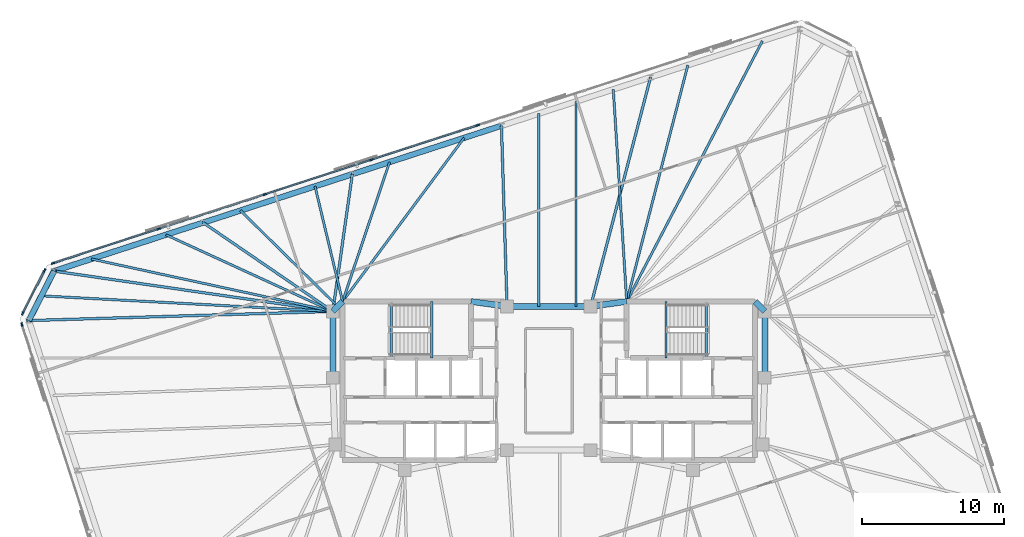
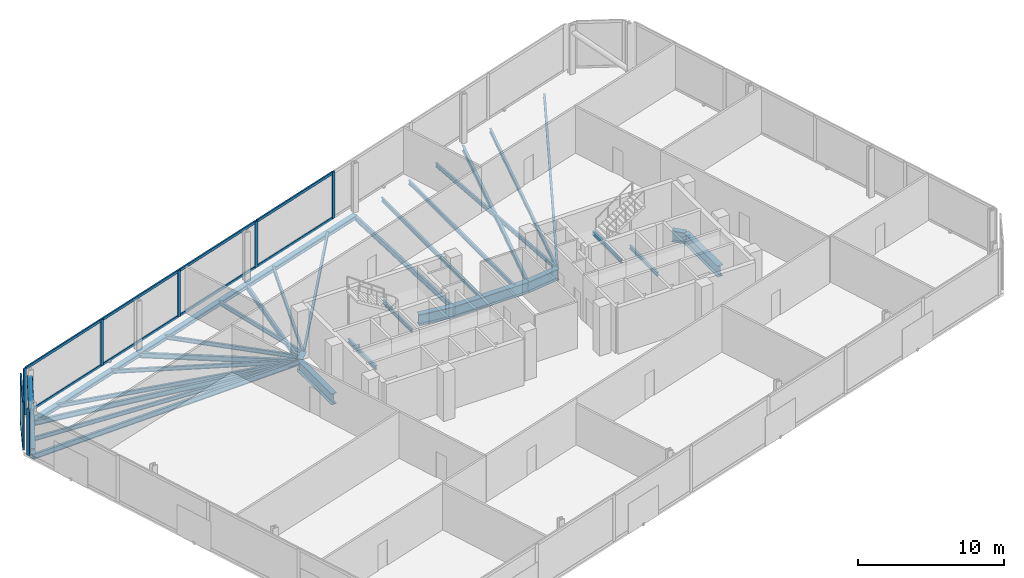
# One storey, part 7 of 14: 33 beams, 19 members, 3 elements without a shape of their own.
"""IFC4 building model written with IfcOpenShell, lengths in metres."""

from ifc_helpers import new_model, si_unit, direction, frame, origin, origin_2d, place, context, subcontext, project, spatial, rectangle, hollow_circle, i_section, extrude, material, material_profile, profile_set, type_object, element, aggregate, save


model = new_model("IFC4")

# Units and contexts
model_context = context("Model", 3, precision=1e-05, world=origin(), true_north=direction((0.0, 1.0)))
body_context = subcontext(model_context, "Body", "Model", "MODEL_VIEW")
ifc_project = project(units=[si_unit("LENGTHUNIT", "METRE"), si_unit("AREAUNIT", "SQUARE_METRE"), si_unit("VOLUMEUNIT", "CUBIC_METRE"), si_unit("PLANEANGLEUNIT", "RADIAN"), si_unit("MASSUNIT", "GRAM", prefix="KILO")], contexts=[model_context])

# Site, building, storey
site_placement = place(None, origin())
site = spatial("IfcSite", under=ifc_project, at=site_placement, CompositionType="ELEMENT")
building_placement = place(site_placement, origin())
building = spatial("IfcBuilding", under=site, at=building_placement, Name="Menara Jurai Vektor", CompositionType="ELEMENT")
storey_placement = place(building_placement, frame((0.0, 0.0, 206.800048828125)))
storey = spatial("IfcBuildingStorey", under=building, at=storey_placement, Name="L54", CompositionType="ELEMENT", Elevation=206.800048828125)

# Curtain wall, members
ifc_material_1 = material(Name="Anodised Pale Aluminium & Low-E Double Glazing", Category="aluminium")
curtain_wall_type = type_object("IfcCurtainWallType", Name="CW-SKY", PredefinedType="NOTDEFINED", material=ifc_material_1)
curtain_wall_1_placement = place(storey_placement, origin())
curtain_wall_1 = element("IfcCurtainWall", 1, at=curtain_wall_1_placement, inside=storey, type_object=curtain_wall_type, Name="Unitised Curtain Wall L54 F05", PredefinedType="NOTDEFINED")
ifc_material_2 = material(Name="Anodised Pale Aluminium Mullion", Category="aluminium")
ifc_material_profile_1 = material_profile(ifc_material_2, rectangle(XDim=0.110107421875, YDim=0.280029296875, at=origin_2d()), Name="ALU MUL 110x280")
ifc_profile_set_1 = profile_set([ifc_material_profile_1], Name="Anodised Pale Aluminium Mullion")
member_type_1 = type_object("IfcMemberType", Name="CW-SKY-MUL", PredefinedType="MULLION", material=ifc_profile_set_1)
member_1_placement = place(storey_placement, frame((-5.02783203125, 18.04052734375, 0.0), z_axis=(0.0, 0.0, 1.0), x_axis=(0.309017344167, -0.951056402641, 0.0)))
member_1 = element("IfcMember", 2, at=member_1_placement, type_object=member_type_1, Name="CW-06 mullion 4", PredefinedType="MULLION", context=body_context, shape_type="SweptSolid", body=[
    extrude(rectangle(XDim=0.110107421875, YDim=0.280029296875, at=origin_2d()), origin(), (0.0, 0.0, 1.0), 3.875),
])
member_2_placement = place(storey_placement, frame((-12.532958984375, 15.601806640625, 0.0), z_axis=(0.0, 0.0, 1.0), x_axis=(0.309017344167, -0.951056402641, 0.0)))
member_2 = element("IfcMember", 3, at=member_2_placement, type_object=member_type_1, Name="CW-06 mullion 5", PredefinedType="MULLION", context=body_context, shape_type="SweptSolid", body=[
    extrude(rectangle(XDim=0.110107421875, YDim=0.280029296875, at=origin_2d()), origin(), (0.0, 0.0, 1.0), 3.875),
])
member_3_placement = place(storey_placement, frame((-20.0380859375, 13.163330078125, 0.0), z_axis=(0.0, 0.0, 1.0), x_axis=(0.309017344167, -0.951056402641, 0.0)))
member_3 = element("IfcMember", 4, at=member_3_placement, type_object=member_type_1, Name="CW-06 mullion 6", PredefinedType="MULLION", context=body_context, shape_type="SweptSolid", body=[
    extrude(rectangle(XDim=0.110107421875, YDim=0.280029296875, at=origin_2d()), origin(), (0.0, 0.0, 1.0), 3.875),
])
member_4_placement = place(storey_placement, frame((-27.543212890625, 10.724609375, 0.0), z_axis=(0.0, 0.0, 1.0), x_axis=(0.309017344167, -0.951056402641, 0.0)))
member_4 = element("IfcMember", 5, at=member_4_placement, type_object=member_type_1, Name="CW-06 mullion 7", PredefinedType="MULLION", context=body_context, shape_type="SweptSolid", body=[
    extrude(rectangle(XDim=0.110107421875, YDim=0.280029296875, at=origin_2d()), origin(), (0.0, 0.0, 1.0), 3.875),
])
member_5_placement = place(storey_placement, frame((-34.99609375, 8.302978515625, 0.0), z_axis=(0.0, 0.0, 1.0), x_axis=(0.309017344167, -0.951056402641, 0.0)))
member_5 = element("IfcMember", 6, at=member_5_placement, type_object=member_type_1, Name="CW-06 mullion 8", PredefinedType="MULLION", context=body_context, shape_type="SweptSolid", body=[
    extrude(rectangle(XDim=0.110107421875, YDim=0.280029296875, at=origin_2d()), origin(), (0.0, 0.0, 1.0), 3.875),
])

curtain_wall_2_placement = place(storey_placement, origin())
curtain_wall_2 = element("IfcCurtainWall", 7, at=curtain_wall_2_placement, inside=storey, type_object=curtain_wall_type, Name="Unitised Curtain Wall L54 F06", PredefinedType="NOTDEFINED")
member_6_placement = place(storey_placement, frame((-35.607421875, 7.781005859375, 0.0), z_axis=(0.0, 0.0, 1.0), x_axis=(0.89100750243, -0.453988579828, 0.0)))
member_6 = element("IfcMember", 8, at=member_6_placement, type_object=member_type_1, Name="CW-06 mullion 1", PredefinedType="MULLION", context=body_context, shape_type="SweptSolid", body=[
    extrude(rectangle(XDim=0.110107421875, YDim=0.280029296875, at=origin_2d()), origin(), (0.0, 0.0, 1.0), 3.875),
])
member_7_placement = place(storey_placement, frame((-37.138427734375, 4.776123046875, 0.0), z_axis=(0.0, 0.0, 1.0), x_axis=(0.89100750243, -0.453988579828, 0.0)))
member_7 = element("IfcMember", 9, at=member_7_placement, type_object=member_type_1, Name="CW-06 mullion 2", PredefinedType="MULLION", context=body_context, shape_type="SweptSolid", body=[
    extrude(rectangle(XDim=0.110107421875, YDim=0.280029296875, at=origin_2d()), origin(), (0.0, 0.0, 1.0), 3.875),
])

# Curtain wall, member
curtain_wall_3_placement = place(storey_placement, origin())
curtain_wall_3 = element("IfcCurtainWall", 10, at=curtain_wall_3_placement, inside=storey, type_object=curtain_wall_type, Name="Unitised Curtain Wall L54 F07", PredefinedType="NOTDEFINED")
member_8_placement = place(storey_placement, frame((-37.20166015625, 3.974609375, 0.0), z_axis=(0.0, 0.0, 1.0), x_axis=(0.95105668295, 0.309016481464, 0.0)))
member_8 = element("IfcMember", 11, at=member_8_placement, type_object=member_type_1, Name="CW-06 mullion 1", PredefinedType="MULLION", context=body_context, shape_type="SweptSolid", body=[
    extrude(rectangle(XDim=0.110107421875, YDim=0.280029296875, at=origin_2d()), origin(), (0.0, 0.0, 1.0), 3.875),
])
aggregate(curtain_wall_3, [member_8])

# Member
ifc_material_3 = material(Name="Anodised Pale Aluminium Transom", Category="aluminium")
ifc_material_profile_2 = material_profile(ifc_material_3, rectangle(XDim=0.110107421875, YDim=0.219970703125, at=origin_2d()), Name="ALU TRN 110x220")
ifc_profile_set_2 = profile_set([ifc_material_profile_2], Name="Anodised Pale Aluminium Transom")
member_type_2 = type_object("IfcMemberType", Name="CW-SKY-TRN", PredefinedType="USERDEFINED", material=ifc_profile_set_2)
member_9_placement = place(storey_placement, frame((-5.080078125, 18.0234375, 0.054931640625), z_axis=(-0.951059197217, -0.309008743225, 0.0), x_axis=(0.309008743225, -0.951059197217, 0.0)))
member_9 = element("IfcMember", 12, at=member_9_placement, type_object=member_type_2, Name="CW-06 transom 4.1", ObjectType="TRANSOM", PredefinedType="USERDEFINED", context=body_context, shape_type="SweptSolid", body=[
    extrude(rectangle(XDim=0.110107421875, YDim=0.219970703125, at=origin_2d()), origin(), (0.0, 0.0, 1.0), 7.781494140625),
])

member_10_placement = place(storey_placement, frame((-5.080078125, 18.0234375, 3.820068359375), z_axis=(-0.951059197217, -0.309008743225, 0.0), x_axis=(0.309008743225, -0.951059197217, 0.0)))
member_10 = element("IfcMember", 13, at=member_10_placement, type_object=member_type_2, Name="CW-06 transom 4.2", ObjectType="TRANSOM", PredefinedType="USERDEFINED", context=body_context, shape_type="SweptSolid", body=[
    extrude(rectangle(XDim=0.110107421875, YDim=0.219970703125, at=origin_2d()), origin(), (0.0, 0.0, 1.0), 7.781494140625),
])

member_11_placement = place(storey_placement, frame((-12.585205078125, 15.5849609375, 0.054931640625), z_axis=(-0.95104997633, -0.309037121593, 0.0), x_axis=(0.309037121593, -0.95104997633, 0.0)))
member_11 = element("IfcMember", 14, at=member_11_placement, type_object=member_type_2, Name="CW-06 transom 5.1", ObjectType="TRANSOM", PredefinedType="USERDEFINED", context=body_context, shape_type="SweptSolid", body=[
    extrude(rectangle(XDim=0.110107421875, YDim=0.219970703125, at=origin_2d()), origin(), (0.0, 0.0, 1.0), 7.781494140625),
])

member_12_placement = place(storey_placement, frame((-12.585205078125, 15.5849609375, 3.820068359375), z_axis=(-0.95104997633, -0.309037121593, 0.0), x_axis=(0.309037121593, -0.95104997633, 0.0)))
member_12 = element("IfcMember", 15, at=member_12_placement, type_object=member_type_2, Name="CW-06 transom 5.2", ObjectType="TRANSOM", PredefinedType="USERDEFINED", context=body_context, shape_type="SweptSolid", body=[
    extrude(rectangle(XDim=0.110107421875, YDim=0.219970703125, at=origin_2d()), origin(), (0.0, 0.0, 1.0), 7.781494140625),
])

member_13_placement = place(storey_placement, frame((-20.09033203125, 13.146240234375, 0.054931640625), z_axis=(-0.951059197217, -0.309008743225, 0.0), x_axis=(0.309008743225, -0.951059197217, 0.0)))
member_13 = element("IfcMember", 16, at=member_13_placement, type_object=member_type_2, Name="CW-06 transom 6.1", ObjectType="TRANSOM", PredefinedType="USERDEFINED", context=body_context, shape_type="SweptSolid", body=[
    extrude(rectangle(XDim=0.110107421875, YDim=0.219970703125, at=origin_2d()), origin(), (0.0, 0.0, 1.0), 7.781494140625),
])

member_14_placement = place(storey_placement, frame((-20.09033203125, 13.146240234375, 3.820068359375), z_axis=(-0.951059197217, -0.309008743225, 0.0), x_axis=(0.309008743225, -0.951059197217, 0.0)))
member_14 = element("IfcMember", 17, at=member_14_placement, type_object=member_type_2, Name="CW-06 transom 6.2", ObjectType="TRANSOM", PredefinedType="USERDEFINED", context=body_context, shape_type="SweptSolid", body=[
    extrude(rectangle(XDim=0.110107421875, YDim=0.219970703125, at=origin_2d()), origin(), (0.0, 0.0, 1.0), 7.781494140625),
])

member_15_placement = place(storey_placement, frame((-27.595703125, 10.707763671875, 0.054931640625), z_axis=(-0.951051250836, -0.309033199321, 0.0), x_axis=(0.309033199321, -0.951051250836, 0.0)))
member_15 = element("IfcMember", 18, at=member_15_placement, type_object=member_type_2, Name="CW-06 transom 7.1", ObjectType="TRANSOM", PredefinedType="USERDEFINED", context=body_context, shape_type="SweptSolid", body=[
    extrude(rectangle(XDim=0.110107421875, YDim=0.219970703125, at=origin_2d()), origin(), (0.0, 0.0, 1.0), 7.726318359375),
])

member_16_placement = place(storey_placement, frame((-27.595703125, 10.707763671875, 3.820068359375), z_axis=(-0.951051250836, -0.309033199321, 0.0), x_axis=(0.309033199321, -0.951051250836, 0.0)))
member_16 = element("IfcMember", 19, at=member_16_placement, type_object=member_type_2, Name="CW-06 transom 7.2", ObjectType="TRANSOM", PredefinedType="USERDEFINED", context=body_context, shape_type="SweptSolid", body=[
    extrude(rectangle(XDim=0.110107421875, YDim=0.219970703125, at=origin_2d()), origin(), (0.0, 0.0, 1.0), 7.726318359375),
])

aggregate(curtain_wall_1, [member_1, member_2, member_3, member_4, member_5, member_9, member_10, member_11, member_12, member_13, member_14, member_15, member_16])

member_17_placement = place(storey_placement, frame((-35.63232421875, 7.732177734375, 0.054931640625), z_axis=(-0.453965012439, -0.891019510157, 0.0), x_axis=(0.891019510157, -0.453965012439, 0.0)))
member_17 = element("IfcMember", 20, at=member_17_placement, type_object=member_type_2, Name="CW-06 transom 1.1", ObjectType="TRANSOM", PredefinedType="USERDEFINED", context=body_context, shape_type="SweptSolid", body=[
    extrude(rectangle(XDim=0.110107421875, YDim=0.219970703125, at=origin_2d()), origin(), (0.0, 0.0, 1.0), 3.2626953125),
])

member_18_placement = place(storey_placement, frame((-35.63232421875, 7.732177734375, 3.820068359375), z_axis=(-0.453965012439, -0.891019510157, 0.0), x_axis=(0.891019510157, -0.453965012439, 0.0)))
member_18 = element("IfcMember", 21, at=member_18_placement, type_object=member_type_2, Name="CW-06 transom 1.2", ObjectType="TRANSOM", PredefinedType="USERDEFINED", context=body_context, shape_type="SweptSolid", body=[
    extrude(rectangle(XDim=0.110107421875, YDim=0.219970703125, at=origin_2d()), origin(), (0.0, 0.0, 1.0), 3.2626953125),
])

aggregate(curtain_wall_2, [member_6, member_7, member_17, member_18])

# Beams
ifc_material_4 = material(Name="Steel S355", Category="steel")
ifc_material_profile_3 = material_profile(ifc_material_4, i_section(OverallWidth=0.18505859375, OverallDepth=0.429931640625, WebThickness=0.010986328125, FlangeThickness=0.01806640625, at=origin_2d()), Name="PG 430x185x76")
ifc_profile_set_3 = profile_set([ifc_material_profile_3], Name="Steel S355")
beam_type_1 = type_object("IfcBeamType", Name="STR-BM-430", PredefinedType="BEAM", material=ifc_profile_set_3)
beam_1_placement = place(storey_placement, frame((7.18359375, 21.4296875, -0.465087890625), z_axis=(-0.253141463003, -0.96742927375, 0.0), x_axis=(0.96742927375, -0.253141463003, 0.0)))
element("IfcBeam", 22, at=beam_1_placement, inside=storey, type_object=beam_type_1, Name="Radial Floor Girder L54-N2", PredefinedType="BEAM", context=body_context, shape_type="SweptSolid", body=[
    extrude(i_section(OverallWidth=0.18505859375, OverallDepth=0.429931640625, WebThickness=0.010986328125, FlangeThickness=0.01806640625, at=origin_2d()), origin(), (0.0, 0.0, 1.0), 16.724365234375),
])
beam_2_placement = place(storey_placement, frame((-3.345703125, 18.008544921875, -0.465087890625), z_axis=(0.031003668991, -0.999519270704, 0.0), x_axis=(0.999519270704, 0.031003668991, 0.0)))
element("IfcBeam", 23, at=beam_2_placement, inside=storey, type_object=beam_type_1, Name="Radial Floor Girder L54-N3", PredefinedType="BEAM", context=body_context, shape_type="SweptSolid", body=[
    extrude(i_section(OverallWidth=0.18505859375, OverallDepth=0.429931640625, WebThickness=0.010986328125, FlangeThickness=0.01806640625, at=origin_2d()), origin(), (0.0, 0.0, 1.0), 12.7646484375),
])
beam_3_placement = place(storey_placement, frame((-13.875, 14.58740234375, -0.465087890625), z_axis=(-0.140527035582, -0.990076841599, 0.0), x_axis=(0.990076841599, -0.140527035582, 0.0)))
element("IfcBeam", 24, at=beam_3_placement, inside=storey, type_object=beam_type_1, Name="Radial Floor Girder L54-N4", PredefinedType="BEAM", context=body_context, shape_type="SweptSolid", body=[
    extrude(i_section(OverallWidth=0.18505859375, OverallDepth=0.429931640625, WebThickness=0.010986328125, FlangeThickness=0.01806640625, at=origin_2d()), origin(), (0.0, 0.0, 1.0), 9.78466796875),
])
beam_4_placement = place(storey_placement, frame((-24.404296875, 11.166259765625, -0.465087890625), z_axis=(0.825185786768, -0.564861414257, 0.0), x_axis=(0.564861414257, 0.825185786768, 0.0)))
element("IfcBeam", 25, at=beam_4_placement, inside=storey, type_object=beam_type_1, Name="Radial Floor Girder L54-N5", PredefinedType="BEAM", context=body_context, shape_type="SweptSolid", body=[
    extrude(i_section(OverallWidth=0.18505859375, OverallDepth=0.429931640625, WebThickness=0.010986328125, FlangeThickness=0.01806640625, at=origin_2d()), origin(), (0.0, 0.0, 1.0), 11.093505859375),
])
beam_5_placement = place(storey_placement, frame((-34.93359375, 7.7451171875, -0.465087890625), z_axis=(0.989713916117, -0.14306070126, 0.0), x_axis=(0.14306070126, 0.989713916117, 0.0)))
element("IfcBeam", 26, at=beam_5_placement, inside=storey, type_object=beam_type_1, Name="Radial Floor Girder L54-N6", PredefinedType="BEAM", context=body_context, shape_type="SweptSolid", body=[
    extrude(i_section(OverallWidth=0.18505859375, OverallDepth=0.429931640625, WebThickness=0.010986328125, FlangeThickness=0.01806640625, at=origin_2d()), origin(), (0.0, 0.0, 1.0), 19.88818359375),
])
beam_6_placement = place(storey_placement, frame((-36.71337890625, 4.251953125, -0.465087890625), z_axis=(0.999544635638, 0.030174846589, 0.0), x_axis=(-0.030174846589, 0.999544635638, 0.0)))
element("IfcBeam", 27, at=beam_6_placement, inside=storey, type_object=beam_type_1, Name="Radial Floor Girder L54-W1", PredefinedType="BEAM", context=body_context, shape_type="SweptSolid", body=[
    extrude(i_section(OverallWidth=0.18505859375, OverallDepth=0.429931640625, WebThickness=0.010986328125, FlangeThickness=0.01806640625, at=origin_2d()), origin(), (0.0, 0.0, 1.0), 21.47314453125),
])
ifc_material_5 = material(Name="Steel S460", Category="steel")
ifc_material_profile_4 = material_profile(ifc_material_5, i_section(OverallWidth=0.39697265625, OverallDepth=0.31591796875, WebThickness=0.030029296875, FlangeThickness=0.048095703125, FilletRadius=0.014892578125, at=origin_2d()), Name="HD 400x382")
ifc_profile_set_4 = profile_set([ifc_material_profile_4], Name="Steel S460")
beam_type_2 = type_object("IfcBeamType", Name="STR-BM-CHORD382", PredefinedType="SPANDREL", material=ifc_profile_set_4)
for number, where, z_axis, x_axis, name in (
    (28, (-3.345703125, 18.008544921875, -0.407958984375), (-0.951057401967, -0.309014268544, 0.0), (0.309014268544, -0.951057401967, 0.0), "Exoskeleton Spandrel Beam L54-13"),
    (29, (-13.875, 14.58740234375, -0.407958984375), (-0.951057401967, -0.309014268544, 0.0), (0.309014268544, -0.951057401967, 0.0), "Exoskeleton Spandrel Beam L54-14"),
    (30, (-24.404296875, 11.166259765625, -0.407958984375), (-0.951057401967, -0.309014268544, 0.0), (0.309014268544, -0.951057401967, 0.0), "Exoskeleton Spandrel Beam L54-15"),
):
    element("IfcBeam", number, at=place(storey_placement, frame(where, z_axis=z_axis, x_axis=x_axis)), inside=storey, type_object=beam_type_2, Name=name, PredefinedType="SPANDREL", context=body_context, shape_type="SweptSolid", body=[
        extrude(i_section(OverallWidth=0.39697265625, OverallDepth=0.31591796875, WebThickness=0.030029296875, FlangeThickness=0.048095703125, FilletRadius=0.014892578125, at=origin_2d()), origin(), (0.0, 0.0, 1.0), 11.071044921875),
    ])
beam_7_placement = place(storey_placement, frame((-34.93359375, 7.7451171875, -0.407958984375), z_axis=(-0.453976155955, -0.891013832566, 0.0), x_axis=(0.891013832566, -0.453976155955, 0.0)))
element("IfcBeam", 31, at=beam_7_placement, inside=storey, type_object=beam_type_2, Name="Exoskeleton Spandrel Beam L54-16", PredefinedType="SPANDREL", context=body_context, shape_type="SweptSolid", body=[
    extrude(i_section(OverallWidth=0.39697265625, OverallDepth=0.31591796875, WebThickness=0.030029296875, FlangeThickness=0.048095703125, FilletRadius=0.014892578125, at=origin_2d()), origin(), (0.0, 0.0, 1.0), 3.92041015625),
])
ifc_material_profile_5 = material_profile(ifc_material_5, i_section(OverallWidth=0.4208984375, OverallDepth=0.9208984375, WebThickness=0.02099609375, FlangeThickness=0.037109375, FilletRadius=0.02392578125, at=origin_2d()), Name="UKB 914x419x388")
ifc_profile_set_5 = profile_set([ifc_material_profile_5], Name="Steel S460")
beam_type_3 = type_object("IfcBeamType", Name="STR-BM-TR914", PredefinedType="BEAM", material=ifc_profile_set_5)
beam_8_placement = place(storey_placement, frame((-15.25, 4.89990234375, -0.71044921875), z_axis=(0.701871936926, 0.712303154672, 0.0), x_axis=(-0.712303154672, 0.701871936926, 0.0)))
element("IfcBeam", 32, at=beam_8_placement, inside=storey, type_object=beam_type_3, Name="Core Ring Header Girder L54-CHW-N1", PredefinedType="BEAM", context=body_context, shape_type="SweptSolid", body=[
    extrude(i_section(OverallWidth=0.4208984375, OverallDepth=0.9208984375, WebThickness=0.02099609375, FlangeThickness=0.037109375, FilletRadius=0.02392578125, at=origin_2d()), origin(), (0.0, 0.0, 1.0), 0.98291015625),
])
beam_9_placement = place(storey_placement, frame((-5.5, 5.60009765625, -0.71044921875), z_axis=(0.990706818608, -0.136014703483, 0.0), x_axis=(0.136014703483, 0.990706818608, 0.0)))
element("IfcBeam", 33, at=beam_9_placement, inside=storey, type_object=beam_type_3, Name="Core Ring Header Girder L54-CHW-N2", PredefinedType="BEAM", context=body_context, shape_type="SweptSolid", body=[
    extrude(i_section(OverallWidth=0.4208984375, OverallDepth=0.9208984375, WebThickness=0.02099609375, FlangeThickness=0.037109375, FilletRadius=0.02392578125, at=origin_2d()), origin(), (0.0, 0.0, 1.0), 2.573974609375),
])
beam_10_placement = place(storey_placement, frame((-15.25, 0.219970703125, -0.71044921875), z_axis=(0.0, 1.0, 0.0), x_axis=(-1.0, 0.0, 0.0)))
element("IfcBeam", 34, at=beam_10_placement, inside=storey, type_object=beam_type_3, Name="Core Ring Header Girder L54-CHW-W1", PredefinedType="BEAM", context=body_context, shape_type="SweptSolid", body=[
    extrude(i_section(OverallWidth=0.4208984375, OverallDepth=0.9208984375, WebThickness=0.02099609375, FlangeThickness=0.037109375, FilletRadius=0.02392578125, at=origin_2d()), origin(), (0.0, 0.0, 1.0), 4.679931640625),
])
beam_11_placement = place(storey_placement, frame((2.949951171875, 5.25, -0.71044921875), z_axis=(0.990706818608, 0.136014703483, 0.0), x_axis=(-0.136014703483, 0.990706818608, 0.0)))
element("IfcBeam", 35, at=beam_11_placement, inside=storey, type_object=beam_type_3, Name="Core Ring Header Girder L54-CHE-N1", PredefinedType="BEAM", context=body_context, shape_type="SweptSolid", body=[
    extrude(i_section(OverallWidth=0.4208984375, OverallDepth=0.9208984375, WebThickness=0.02099609375, FlangeThickness=0.037109375, FilletRadius=0.02392578125, at=origin_2d()), origin(), (0.0, 0.0, 1.0), 2.573974609375),
])
beam_12_placement = place(storey_placement, frame((14.56005859375, 5.60009765625, -0.71044921875), z_axis=(0.701871936926, -0.712303154672, 0.0), x_axis=(0.712303154672, 0.701871936926, 0.0)))
element("IfcBeam", 36, at=beam_12_placement, inside=storey, type_object=beam_type_3, Name="Core Ring Header Girder L54-CHE-N2", PredefinedType="BEAM", context=body_context, shape_type="SweptSolid", body=[
    extrude(i_section(OverallWidth=0.4208984375, OverallDepth=0.9208984375, WebThickness=0.02099609375, FlangeThickness=0.037109375, FilletRadius=0.02392578125, at=origin_2d()), origin(), (0.0, 0.0, 1.0), 0.98291015625),
])
beam_13_placement = place(storey_placement, frame((15.25, 0.219970703125, -0.71044921875), z_axis=(0.0, 1.0, 0.0), x_axis=(-1.0, 0.0, 0.0)))
element("IfcBeam", 37, at=beam_13_placement, inside=storey, type_object=beam_type_3, Name="Core Ring Header Girder L54-CHE-E1", PredefinedType="BEAM", context=body_context, shape_type="SweptSolid", body=[
    extrude(i_section(OverallWidth=0.4208984375, OverallDepth=0.9208984375, WebThickness=0.02099609375, FlangeThickness=0.037109375, FilletRadius=0.02392578125, at=origin_2d()), origin(), (0.0, 0.0, 1.0), 4.679931640625),
])
beam_14_placement = place(storey_placement, frame((-2.949951171875, 5.25, -0.71044921875), z_axis=(1.0, 0.0, 0.0), x_axis=(0.0, 1.0, 0.0)))
element("IfcBeam", 38, at=beam_14_placement, inside=storey, type_object=beam_type_3, Name="Core Ring Header Girder L54-CC-2", PredefinedType="BEAM", context=body_context, shape_type="SweptSolid", body=[
    extrude(i_section(OverallWidth=0.4208984375, OverallDepth=0.9208984375, WebThickness=0.02099609375, FlangeThickness=0.037109375, FilletRadius=0.02392578125, at=origin_2d()), origin(), (0.0, 0.0, 1.0), 5.89990234375),
])

# Member
ifc_material_profile_6 = material_profile(ifc_material_5, hollow_circle(Radius=0.203125, WallThickness=0.01611328125, at=origin_2d()), Name="CHS 406.4x16")
ifc_profile_set_6 = profile_set([ifc_material_profile_6], Name="Steel S460")
member_type_3 = type_object("IfcMemberType", Name="STR-BR-406", PredefinedType="BRACE", material=ifc_profile_set_6)
member_19_placement = place(storey_placement, frame((-36.71337890625, 4.251953125, 0.14990234375), z_axis=(0.344049420501, 0.675261880456, 0.652419641838), x_axis=(-0.891013832566, 0.453976155955, 0.0)))
element("IfcMember", 39, at=member_19_placement, inside=storey, type_object=member_type_3, Name="Exoskeleton Corner Brace L54-3", PredefinedType="BRACE", context=body_context, shape_type="SweptSolid", body=[
    extrude(hollow_circle(Radius=0.203125, WallThickness=0.01611328125, at=origin_2d()), origin(), (0.0, 0.0, 1.0), 5.173095703125),
])

# Beams
ifc_material_profile_7 = material_profile(ifc_material_4, i_section(OverallWidth=0.1650390625, OverallDepth=0.330078125, WebThickness=0.009033203125, FlangeThickness=0.013916015625, at=origin_2d()), Name="PG 330x165x46")
ifc_profile_set_7 = profile_set([ifc_material_profile_7], Name="Steel S355")
beam_type_4 = type_object("IfcBeamType", Name="STR-JS-330", PredefinedType="JOIST", material=ifc_profile_set_7)
beam_15_placement = place(storey_placement, frame((15.08056640625, 23.99560546875, -0.4150390625), z_axis=(-0.461918215026, -0.886922523464, 0.0), x_axis=(0.886922523464, -0.461918215026, 0.0)))
element("IfcBeam", 40, at=beam_15_placement, inside=storey, type_object=beam_type_4, Name="Radial Secondary Floor Joist L54-JS16", PredefinedType="JOIST", context=body_context, shape_type="SweptSolid", body=[
    extrude(i_section(OverallWidth=0.1650390625, OverallDepth=0.330078125, WebThickness=0.009033203125, FlangeThickness=0.013916015625, at=origin_2d()), origin(), (0.0, 0.0, 1.0), 20.74072265625),
])
beam_16_placement = place(storey_placement, frame((9.81591796875, 22.28515625, -0.4150390625), z_axis=(-0.250427234151, -0.968135424616, 0.0), x_axis=(0.968135424616, -0.250427234151, 0.0)))
element("IfcBeam", 41, at=beam_16_placement, inside=storey, type_object=beam_type_4, Name="Radial Secondary Floor Joist L54-JS17", PredefinedType="JOIST", context=body_context, shape_type="SweptSolid", body=[
    extrude(i_section(OverallWidth=0.1650390625, OverallDepth=0.330078125, WebThickness=0.009033203125, FlangeThickness=0.013916015625, at=origin_2d()), origin(), (0.0, 0.0, 1.0), 17.234130859375),
])
beam_17_placement = place(storey_placement, frame((4.55126953125, 20.574462890625, -0.4150390625), z_axis=(0.063230194737, -0.997998969175, 0.0), x_axis=(0.997998969175, 0.063230194737, 0.0)))
element("IfcBeam", 42, at=beam_17_placement, inside=storey, type_object=beam_type_4, Name="Radial Secondary Floor Joist L54-JS18", PredefinedType="JOIST", context=body_context, shape_type="SweptSolid", body=[
    extrude(i_section(OverallWidth=0.1650390625, OverallDepth=0.330078125, WebThickness=0.009033203125, FlangeThickness=0.013916015625, at=origin_2d()), origin(), (0.0, 0.0, 1.0), 15.00439453125),
])
beam_18_placement = place(storey_placement, frame((1.9189453125, 19.71923828125, -0.4150390625), z_axis=(0.0, -1.0, 0.0), x_axis=(1.0, 0.0, 0.0)))
element("IfcBeam", 43, at=beam_18_placement, inside=storey, type_object=beam_type_4, Name="Radial Secondary Floor Joist L54-JS19", PredefinedType="JOIST", context=body_context, shape_type="SweptSolid", body=[
    extrude(i_section(OverallWidth=0.1650390625, OverallDepth=0.330078125, WebThickness=0.009033203125, FlangeThickness=0.013916015625, at=origin_2d()), origin(), (0.0, 0.0, 1.0), 14.46923828125),
])
beam_19_placement = place(storey_placement, frame((-0.71337890625, 18.864013671875, -0.4150390625), z_axis=(0.0, -1.0, 0.0), x_axis=(1.0, 0.0, 0.0)))
element("IfcBeam", 44, at=beam_19_placement, inside=storey, type_object=beam_type_4, Name="Radial Secondary Floor Joist L54-JS20", PredefinedType="JOIST", context=body_context, shape_type="SweptSolid", body=[
    extrude(i_section(OverallWidth=0.1650390625, OverallDepth=0.330078125, WebThickness=0.009033203125, FlangeThickness=0.013916015625, at=origin_2d()), origin(), (0.0, 0.0, 1.0), 13.614013671875),
])
beam_20_placement = place(storey_placement, frame((-5.97802734375, 17.1533203125, -0.4150390625), z_axis=(-0.59630776033, -0.802755912448, 0.0), x_axis=(0.802755912448, -0.59630776033, 0.0)))
element("IfcBeam", 45, at=beam_20_placement, inside=storey, type_object=beam_type_4, Name="Radial Secondary Floor Joist L54-JS21", PredefinedType="JOIST", context=body_context, shape_type="SweptSolid", body=[
    extrude(i_section(OverallWidth=0.1650390625, OverallDepth=0.330078125, WebThickness=0.009033203125, FlangeThickness=0.013916015625, at=origin_2d()), origin(), (0.0, 0.0, 1.0), 14.391845703125),
])
beam_21_placement = place(storey_placement, frame((-11.24267578125, 15.44287109375, -0.4150390625), z_axis=(-0.319385076217, -0.94762501713, 0.0), x_axis=(0.94762501713, -0.319385076217, 0.0)))
element("IfcBeam", 46, at=beam_21_placement, inside=storey, type_object=beam_type_4, Name="Radial Secondary Floor Joist L54-JS22", PredefinedType="JOIST", context=body_context, shape_type="SweptSolid", body=[
    extrude(i_section(OverallWidth=0.1650390625, OverallDepth=0.330078125, WebThickness=0.009033203125, FlangeThickness=0.013916015625, at=origin_2d()), origin(), (0.0, 0.0, 1.0), 10.38671875),
])
beam_22_placement = place(storey_placement, frame((-16.50732421875, 13.732177734375, -0.4150390625), z_axis=(0.23287158907, -0.972507492518, 0.0), x_axis=(0.972507492518, 0.23287158907, 0.0)))
element("IfcBeam", 47, at=beam_22_placement, inside=storey, type_object=beam_type_4, Name="Radial Secondary Floor Joist L54-JS23", PredefinedType="JOIST", context=body_context, shape_type="SweptSolid", body=[
    extrude(i_section(OverallWidth=0.1650390625, OverallDepth=0.330078125, WebThickness=0.009033203125, FlangeThickness=0.013916015625, at=origin_2d()), origin(), (0.0, 0.0, 1.0), 8.362060546875),
])
beam_23_placement = place(storey_placement, frame((-21.77197265625, 12.021484375, -0.4150390625), z_axis=(0.7121893722, -0.701987391714, 0.0), x_axis=(0.701987391714, 0.7121893722, 0.0)))
element("IfcBeam", 48, at=beam_23_placement, inside=storey, type_object=beam_type_4, Name="Radial Secondary Floor Joist L54-JS24", PredefinedType="JOIST", context=body_context, shape_type="SweptSolid", body=[
    extrude(i_section(OverallWidth=0.1650390625, OverallDepth=0.330078125, WebThickness=0.009033203125, FlangeThickness=0.013916015625, at=origin_2d()), origin(), (0.0, 0.0, 1.0), 9.64404296875),
])
beam_24_placement = place(storey_placement, frame((-27.03662109375, 10.31103515625, -0.4150390625), z_axis=(0.908803804095, -0.417223735738, 0.0), x_axis=(0.417223735738, 0.908803804095, 0.0)))
element("IfcBeam", 49, at=beam_24_placement, inside=storey, type_object=beam_type_4, Name="Radial Secondary Floor Joist L54-JS25", PredefinedType="JOIST", context=body_context, shape_type="SweptSolid", body=[
    extrude(i_section(OverallWidth=0.1650390625, OverallDepth=0.330078125, WebThickness=0.009033203125, FlangeThickness=0.013916015625, at=origin_2d()), origin(), (0.0, 0.0, 1.0), 12.969482421875),
])
beam_25_placement = place(storey_placement, frame((-32.30126953125, 8.600341796875, -0.4150390625), z_axis=(0.977251946396, -0.212081666498, 0.0), x_axis=(0.212081666498, 0.977251946396, 0.0)))
element("IfcBeam", 50, at=beam_25_placement, inside=storey, type_object=beam_type_4, Name="Radial Secondary Floor Joist L54-JS26", PredefinedType="JOIST", context=body_context, shape_type="SweptSolid", body=[
    extrude(i_section(OverallWidth=0.1650390625, OverallDepth=0.330078125, WebThickness=0.009033203125, FlangeThickness=0.013916015625, at=origin_2d()), origin(), (0.0, 0.0, 1.0), 17.4482421875),
])
beam_26_placement = place(storey_placement, frame((-35.823486328125, 5.99853515625, -0.4150390625), z_axis=(0.998577239708, -0.053324444086, 0.0), x_axis=(0.053324444086, 0.998577239708, 0.0)))
element("IfcBeam", 51, at=beam_26_placement, inside=storey, type_object=beam_type_4, Name="Radial Secondary Floor Joist L54-JS27", PredefinedType="JOIST", context=body_context, shape_type="SweptSolid", body=[
    extrude(i_section(OverallWidth=0.1650390625, OverallDepth=0.330078125, WebThickness=0.009033203125, FlangeThickness=0.013916015625, at=origin_2d()), origin(), (0.0, 0.0, 1.0), 20.602783203125),
])
ifc_material_profile_8 = material_profile(ifc_material_4, i_section(OverallWidth=0.1650390625, OverallDepth=0.302978515625, WebThickness=0.006103515625, FlangeThickness=0.010009765625, FilletRadius=0.009033203125, at=origin_2d()), Name="UKB 305x165x40")
ifc_profile_set_8 = profile_set([ifc_material_profile_8], Name="Steel S355")
beam_type_5 = type_object("IfcBeamType", Name="STR-LN-305", PredefinedType="LINTEL", material=ifc_profile_set_8)
beam_27_placement = place(storey_placement, frame((-11.1201171875, 1.60009765625, -0.401611328125), z_axis=(0.0, 1.0, 0.0), x_axis=(-1.0, 0.0, 0.0)))
element("IfcBeam", 52, at=beam_27_placement, inside=storey, type_object=beam_type_5, Name="Stair Well Floor Trimmer ST1 L54", PredefinedType="LINTEL", context=body_context, shape_type="SweptSolid", body=[
    extrude(i_section(OverallWidth=0.1650390625, OverallDepth=0.302978515625, WebThickness=0.006103515625, FlangeThickness=0.010009765625, FilletRadius=0.009033203125, at=origin_2d()), origin(), (0.0, 0.0, 1.0), 3.81982421875),
])
beam_28_placement = place(storey_placement, frame((-8.27001953125, 1.60009765625, 1.698486328125), z_axis=(0.0, 1.0, 0.0), x_axis=(-1.0, 0.0, 0.0)))
element("IfcBeam", 53, at=beam_28_placement, inside=storey, type_object=beam_type_5, Name="Stair Half-Landing Nosing Trimmer ST1-1 L54", PredefinedType="LINTEL", context=body_context, shape_type="SweptSolid", body=[
    extrude(i_section(OverallWidth=0.1650390625, OverallDepth=0.302978515625, WebThickness=0.006103515625, FlangeThickness=0.010009765625, FilletRadius=0.009033203125, at=origin_2d()), origin(), (0.0, 0.0, 1.0), 4.0),
])
beam_29_placement = place(storey_placement, frame((11.1201171875, 1.60009765625, -0.401611328125), z_axis=(0.0, 1.0, 0.0), x_axis=(-1.0, 0.0, 0.0)))
element("IfcBeam", 54, at=beam_29_placement, inside=storey, type_object=beam_type_5, Name="Stair Well Floor Trimmer ST2 L54", PredefinedType="LINTEL", context=body_context, shape_type="SweptSolid", body=[
    extrude(i_section(OverallWidth=0.1650390625, OverallDepth=0.302978515625, WebThickness=0.006103515625, FlangeThickness=0.010009765625, FilletRadius=0.009033203125, at=origin_2d()), origin(), (0.0, 0.0, 1.0), 3.81982421875),
])
beam_30_placement = place(storey_placement, frame((8.27001953125, 1.60009765625, 1.698486328125), z_axis=(0.0, 1.0, 0.0), x_axis=(-1.0, 0.0, 0.0)))
element("IfcBeam", 55, at=beam_30_placement, inside=storey, type_object=beam_type_5, Name="Stair Half-Landing Nosing Trimmer ST2-1 L54", PredefinedType="LINTEL", context=body_context, shape_type="SweptSolid", body=[
    extrude(i_section(OverallWidth=0.1650390625, OverallDepth=0.302978515625, WebThickness=0.006103515625, FlangeThickness=0.010009765625, FilletRadius=0.009033203125, at=origin_2d()), origin(), (0.0, 0.0, 1.0), 4.0),
])

save(model, "model.ifc")
